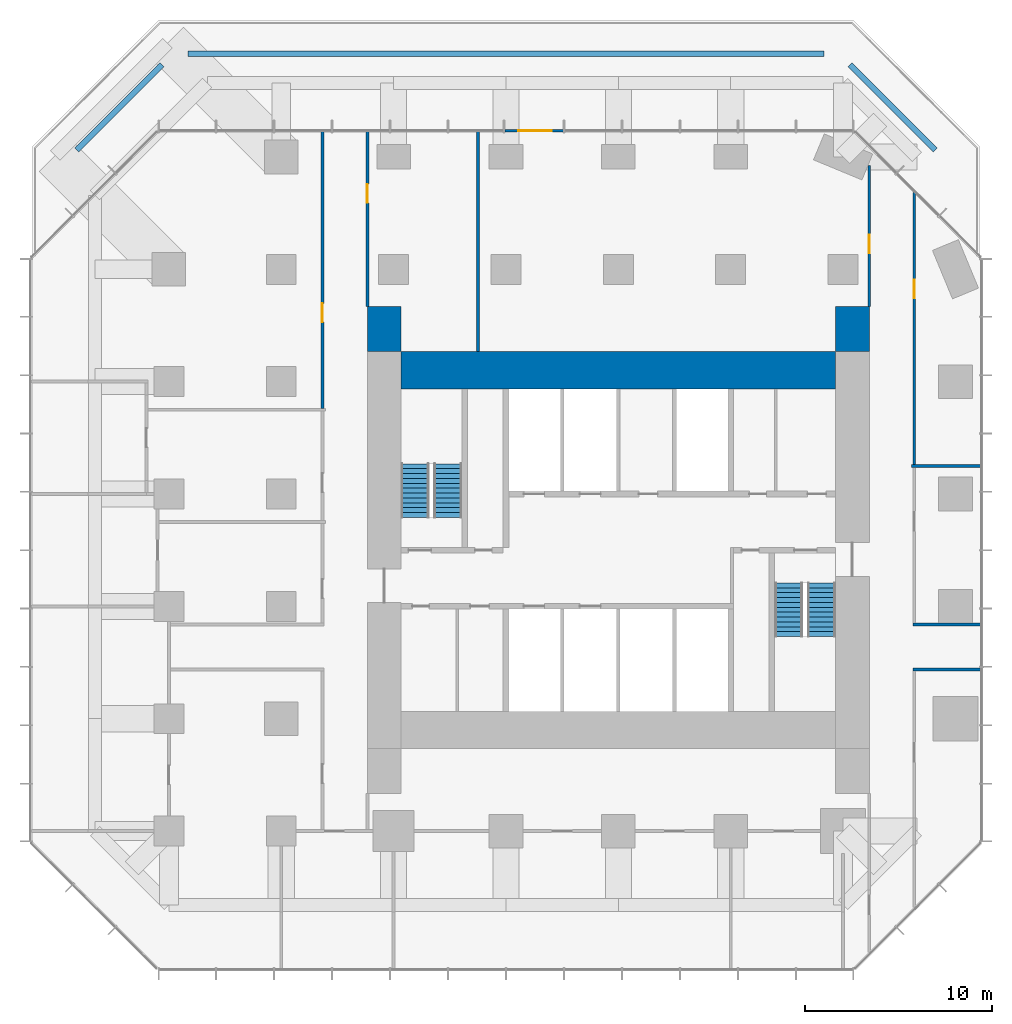
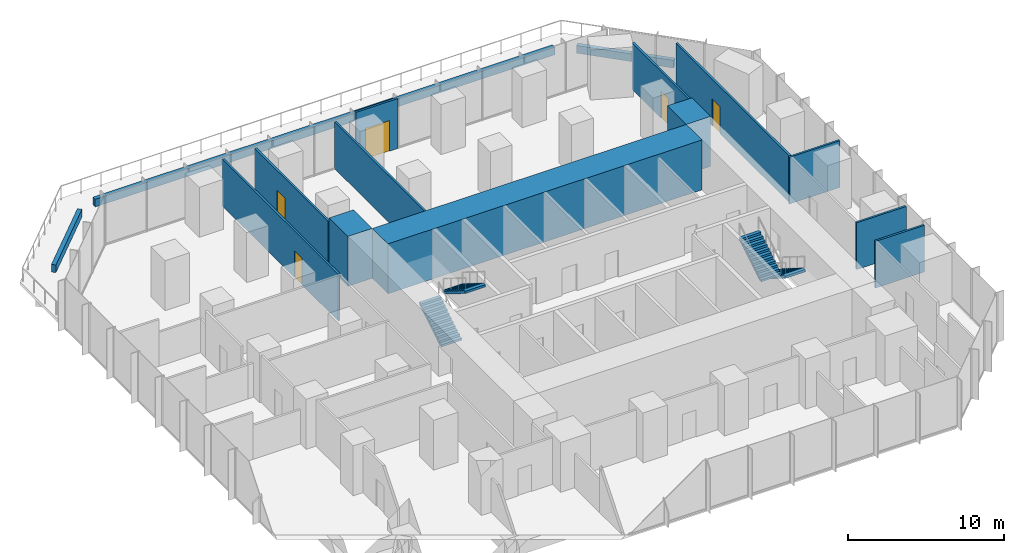
# One storey, part 10 of 11: 15 walls, 5 doors, 4 stair flights, 5 openings, 2 elements without a shape of their own.
"""IFC4 building model written with IfcOpenShell, lengths in metres."""

import ifcopenshell
import ifcopenshell.guid

model = None  # the IFC model being written
_history = None  # IfcOwnerHistory: only IFC2X3 demands one
_inside = {}  # id of a spatial element -> (the spatial element, [elements in it])
_under = {}  # id of a project, library or spatial element -> (it, [spatial elements below it])
_declared = {}  # id of a project -> (the project, [libraries it declares])
_typed = {}  # id of a type object -> (the type object, [elements of that type])
_made_of = {}  # id of a material, layer set ... -> (it, [elements and type objects made of it])


def new_model(schema):
    """Start an empty IFC model of exactly this schema.

    Asked for "IFC4X3", IfcOpenShell would pick the latest addendum, in which some entities
    have other attributes; the version numbers below select the first issue.
    IFC2X3 requires an IfcOwnerHistory on every rooted entity: one is made here for all.
    """
    global model, _history
    if schema == "IFC4X3":
        model = ifcopenshell.file(schema_version=(4, 3, 0, 0))
    else:
        model = ifcopenshell.file(schema=schema)
    _inside.clear()
    _under.clear()
    _declared.clear()
    _typed.clear()
    _made_of.clear()
    _history = None
    if model.schema == "IFC2X3":
        org = make("IfcOrganization", Name="unknown")
        user = make(
            "IfcPersonAndOrganization",
            ThePerson=make("IfcPerson", FamilyName="unknown"),
            TheOrganization=org,
        )
        app = make(
            "IfcApplication",
            ApplicationDeveloper=org,
            Version="unknown",
            ApplicationFullName="unknown",
            ApplicationIdentifier="unknown",
        )
        _history = make(
            "IfcOwnerHistory",
            OwningUser=user,
            OwningApplication=app,
            ChangeAction="ADDED",
            CreationDate=0,
        )
    return model


def make(cls, **values):
    """One entity of the class cls with the attributes given. An attribute that is None is left unset."""
    return model.create_entity(
        cls, **{name: value for name, value in values.items() if value is not None}
    )


def rooted(cls, **values):
    """An entity with a GlobalId (a new one), such as an element, a storey or a relation."""
    return make(cls, GlobalId=ifcopenshell.guid.new(), OwnerHistory=_history, **values)


def si_unit(unit_type, name, prefix=None):
    """IfcSIUnit, for example si_unit("LENGTHUNIT", "METRE", prefix="MILLI")."""
    return make("IfcSIUnit", UnitType=unit_type, Prefix=prefix, Name=name)


def assignment(units):
    """IfcUnitAssignment: the units of a project."""
    return None if units is None else make("IfcUnitAssignment", Units=units)


def point(xyz):
    """IfcCartesianPoint."""
    return None if xyz is None else make("IfcCartesianPoint", Coordinates=xyz)


def direction(xyz):
    """IfcDirection."""
    return None if xyz is None else make("IfcDirection", DirectionRatios=xyz)


def frame(location, z_axis=None, x_axis=None):
    """IfcAxis2Placement3D, a coordinate frame: its origin and axes. An axis left out is left unset."""
    return make(
        "IfcAxis2Placement3D",
        Location=point(location),
        Axis=direction(z_axis),
        RefDirection=direction(x_axis),
    )


def frame_2d(location, x_axis=None):
    """IfcAxis2Placement2D, a coordinate frame in the plane: its origin and x axis."""
    return make(
        "IfcAxis2Placement2D", Location=point(location), RefDirection=direction(x_axis)
    )


def origin():
    """The frame at (0, 0, 0) with its axes left unset."""
    return frame((0.0, 0.0, 0.0))


def place(relative_to, where):
    """IfcLocalPlacement: puts the frame where relative to a parent placement (None: the world)."""
    return make(
        "IfcLocalPlacement", PlacementRelTo=relative_to, RelativePlacement=where
    )


def context(
    kind, dimensions, precision=None, world=None, true_north=None, identifier=None
):
    """IfcGeometricRepresentationContext, for example the 3D "Model" context."""
    return make(
        "IfcGeometricRepresentationContext",
        ContextIdentifier=identifier,
        ContextType=kind,
        CoordinateSpaceDimension=dimensions,
        Precision=precision,
        WorldCoordinateSystem=world,
        TrueNorth=true_north,
    )


def subcontext(parent, identifier, kind, view, scale=None):
    """IfcGeometricRepresentationSubContext, for example "Body" below "Model"."""
    return make(
        "IfcGeometricRepresentationSubContext",
        ContextIdentifier=identifier,
        ContextType=kind,
        ParentContext=parent,
        TargetScale=scale,
        TargetView=view,
    )


def project(units=None, contexts=None):
    """IfcProject with its units and contexts."""
    return rooted(
        "IfcProject",
        Name="project",
        RepresentationContexts=contexts,
        UnitsInContext=assignment(units),
    )


def spatial(cls, under=None, at=None, **own):
    """A site, building, storey or space (cls), placed at a placement, below another one or the project."""
    s = rooted(cls, ObjectPlacement=at, **own)
    if under is not None:
        _under.setdefault(under.id(), (under, []))[1].append(s)
    return s


def polyline(points):
    """IfcPolyline through the points."""
    return make("IfcPolyline", Points=[point(p) for p in points])


def profile(cls, at=None, kind="AREA", **sizes):
    """A parametric profile (cls). Its sizes go by their IFC names, for example OverallWidth=200.0."""
    return make(cls, ProfileType=kind, Position=at, **sizes)


def rectangle(**sizes):
    """IfcRectangleProfileDef."""
    return profile("IfcRectangleProfileDef", **sizes)


def outline(outer, holes=None, kind="AREA"):
    """IfcArbitraryClosedProfileDef: a profile drawn as a closed curve; with holes, ...WithVoids."""
    if holes is None:
        return make("IfcArbitraryClosedProfileDef", ProfileType=kind, OuterCurve=outer)
    return make(
        "IfcArbitraryProfileDefWithVoids",
        ProfileType=kind,
        OuterCurve=outer,
        InnerCurves=holes,
    )


def extrude(swept, where, along, depth):
    """IfcExtrudedAreaSolid: the profile swept, set in the frame where, extruded along a direction by depth."""
    return make(
        "IfcExtrudedAreaSolid",
        SweptArea=swept,
        Position=where,
        ExtrudedDirection=direction(along),
        Depth=depth,
    )


def shape(context_of_items, identifier, shape_type, items):
    """IfcShapeRepresentation: the items that make up one representation, for example the "Body"."""
    return make(
        "IfcShapeRepresentation",
        ContextOfItems=context_of_items,
        RepresentationIdentifier=identifier,
        RepresentationType=shape_type,
        Items=items,
    )


def material(Name=None, Category=None):
    """IfcMaterial."""
    return make("IfcMaterial", Name=Name, Category=Category)


def layer(
    of_material, thickness, ventilated=None, Name=None, Category=None, Priority=None
):
    """IfcMaterialLayer: one layer of a wall or slab, of a material (None: an air gap)."""
    return make(
        "IfcMaterialLayer",
        Material=of_material,
        LayerThickness=thickness,
        IsVentilated=ventilated,
        Name=Name,
        Category=Category,
        Priority=Priority,
    )


def layer_set(layers, Name=None):
    """IfcMaterialLayerSet."""
    return make("IfcMaterialLayerSet", MaterialLayers=layers, LayerSetName=Name)


def made_of(thing, what):
    """Note that an element or type object is made of a material, layer set ...; save() writes the relation."""
    if what is not None:
        _made_of.setdefault(what.id(), (what, []))[1].append(thing)
    return thing


def type_object(cls, material=None, **own):
    """A type object (cls), such as IfcWallType, which elements share."""
    return made_of(rooted(cls, **own), material)


def element(
    cls,
    number,
    at=None,
    inside=None,
    cuts=None,
    type_object=None,
    material=None,
    context=None,
    identifier="Body",
    shape_type=None,
    held_by="IfcProductDefinitionShape",
    body=None,
    shapes=None,
    **own,
):
    """One element of the class cls, such as IfcWall. Its Tag is "e" and its number.

    at: its placement. inside: the storey or other place that contains it. cuts: it is an
    opening in that element (IfcRelVoidsElement). A single representation is given by context,
    identifier, shape_type and body (its items); several are given by shapes. held_by: the class
    of the entity that holds the representations. save() writes the other relations.
    """
    e = rooted(cls, Tag="e%d" % number, ObjectPlacement=at, **own)
    if body is not None:
        shapes = [shape(context, identifier, shape_type, body)]
    if shapes is not None:
        e.Representation = make(held_by, Representations=shapes)
    if inside is not None:
        _inside.setdefault(inside.id(), (inside, []))[1].append(e)
    if cuts is not None:
        rooted(
            "IfcRelVoidsElement", RelatingBuildingElement=cuts, RelatedOpeningElement=e
        )
    if type_object is not None:
        _typed.setdefault(type_object.id(), (type_object, []))[1].append(e)
    return made_of(e, material)


def fill(opening, filler):
    """IfcRelFillsElement: the door or window that sits in an opening."""
    return rooted(
        "IfcRelFillsElement",
        RelatingOpeningElement=opening,
        RelatedBuildingElement=filler,
    )


def aggregate(whole, parts):
    """IfcRelAggregates: a whole, such as a stair, and the parts it consists of."""
    return rooted("IfcRelAggregates", RelatingObject=whole, RelatedObjects=parts)


def save(model, path):
    """Write the relations noted so far, then the file.

    IfcRelAggregates (storeys below a building ...), IfcRelContainedInSpatialStructure (elements
    in a storey), IfcRelDefinesByType, IfcRelAssociatesMaterial and IfcRelDeclares: one each for
    every whole, place, type object, material and project.
    """
    for whole, parts in _under.values():
        aggregate(whole, parts)
    for where, things in _inside.values():
        rooted(
            "IfcRelContainedInSpatialStructure",
            RelatedElements=things,
            RelatingStructure=where,
        )
    for kind, things in _typed.values():
        rooted("IfcRelDefinesByType", RelatedObjects=things, RelatingType=kind)
    for what, things in _made_of.values():
        rooted("IfcRelAssociatesMaterial", RelatedObjects=things, RelatingMaterial=what)
    for by, libraries in _declared.values():
        rooted("IfcRelDeclares", RelatingContext=by, RelatedDefinitions=libraries)
    model.write(path)


model = new_model("IFC4")

# Units and contexts
model_context = context("Model", 3, precision=1e-05, world=origin(), true_north=direction((0.0, 1.0)))
body_context = subcontext(model_context, "Body", "Model", "MODEL_VIEW")
ifc_project = project(units=[si_unit("LENGTHUNIT", "METRE"), si_unit("AREAUNIT", "SQUARE_METRE"), si_unit("VOLUMEUNIT", "CUBIC_METRE"), si_unit("PLANEANGLEUNIT", "RADIAN"), si_unit("MASSUNIT", "GRAM", prefix="KILO")], contexts=[model_context])

# Site, building, storey
site_placement = place(None, origin())
site = spatial("IfcSite", under=ifc_project, at=site_placement, CompositionType="ELEMENT")
building_placement = place(site_placement, origin())
building = spatial("IfcBuilding", under=site, at=building_placement, Name="Highveld Stack Headquarters", CompositionType="ELEMENT")
storey_placement = place(building_placement, frame((0.0, 0.0, 117.199951171875)))
storey = spatial("IfcBuildingStorey", under=building, at=storey_placement, Name="L28", CompositionType="ELEMENT", Elevation=117.199951171875)

# Walls
ifc_material_1 = material(Name="Concrete C60/75", Category="concrete")
ifc_layer_1 = layer(ifc_material_1, 2.0)
ifc_layer_set_1 = layer_set([ifc_layer_1], Name="Concrete C60/75")
wall_type_1 = type_object("IfcWallType", Name="CORE WALL 2000 C60/75", PredefinedType="SHEAR", material=ifc_layer_set_1)
wall_1_placement = place(storey_placement, frame((-5.60009765625, 12.60009765625, 0.0), z_axis=(0.0, 0.0, 1.0), x_axis=(1.0, 0.0, 0.0)))
element("IfcWall", 1, at=wall_1_placement, inside=storey, type_object=wall_type_1, Name="Core wall N L28", PredefinedType="SHEAR", context=body_context, shape_type="SweptSolid", body=[
    extrude(rectangle(XDim=23.2001953125, YDim=2.0, at=frame_2d((11.60009765625, 0.0))), origin(), (0.0, 0.0, 1.0), 3.900146484375),
])
ifc_material_2 = material(Name="Concrete C60/75", Category="concrete")
ifc_layer_2 = layer(ifc_material_2, 1.800048828125)
ifc_layer_set_2 = layer_set([ifc_layer_2], Name="Concrete C60/75")
wall_type_2 = type_object("IfcWallType", Name="CORE WING WALL 1800 C60/75", PredefinedType="SHEAR", material=ifc_layer_set_2)
for number, where, z_axis, x_axis, name in (
    (2, (-6.5, 13.60009765625, 0.0), (0.0, 0.0, 1.0), (0.0, 1.0, 0.0), "Core wing wall WN L28"),
    (3, (18.5, 13.60009765625, 0.0), (0.0, 0.0, 1.0), (0.0, 1.0, 0.0), "Core wing wall EN L28"),
):
    element("IfcWall", number, at=place(storey_placement, frame(where, z_axis=z_axis, x_axis=x_axis)), inside=storey, type_object=wall_type_2, Name=name, PredefinedType="SHEAR", context=body_context, shape_type="SweptSolid", body=[
        extrude(rectangle(XDim=2.39990234375, YDim=1.800048828125, at=frame_2d((1.199951171875, 0.0))), origin(), (0.0, 0.0, 1.0), 3.900146484375),
    ])

# Wall, opening, door
ifc_material_3 = material(Name="Aluminium framed glazed screen", Category="aluminium")
ifc_layer_3 = layer(ifc_material_3, 0.14990234375)
ifc_layer_set_3 = layer_set([ifc_layer_3], Name="Aluminium framed glazed screen")
wall_type_3 = type_object("IfcWallType", Name="GLAZED DOOR SCREEN 150", PredefinedType="USERDEFINED", material=ifc_layer_set_3)
wall_2_placement = place(storey_placement, frame((-0.04248046875, 25.39990234375, 0.0), z_axis=(0.0, 0.0, 1.0), x_axis=(1.0, 0.0, 0.0)))
wall_2 = element("IfcWall", 4, at=wall_2_placement, inside=storey, type_object=wall_type_3, Name="Glazed door screen L28 N", ObjectType="GLAZED SCREEN", PredefinedType="USERDEFINED", context=body_context, shape_type="SweptSolid", body=[
    extrude(rectangle(XDim=3.106689453125, YDim=0.14990234375, at=frame_2d((1.55322265625, 0.0))), origin(), (0.0, 0.0, 1.0), 3.900146484375),
])
opening_1_placement = place(wall_2_placement, frame((0.69091796875, 0.0, 0.0)))
opening_1 = element("IfcOpeningElement", 5, at=opening_1_placement, cuts=wall_2, Name="Opening L28-01", PredefinedType="OPENING", context=body_context, shape_type="SweptSolid", body=[
    extrude(rectangle(XDim=1.800048828125, YDim=2.39990234375, at=frame_2d((0.89990234375, 1.199951171875))), frame((0.0, 0.0849609375, 0.0), z_axis=(0.0, -1.0, 0.0), x_axis=(1.0, 0.0, 0.0)), (0.0, 0.0, 1.0), 0.169921875),
])
ifc_material_4 = material(Name="Aluminium framed glass door", Category="aluminium")
door_type_1 = type_object("IfcDoorType", Name="TERRACE DOOR D8 1800x2400", OperationType="DOUBLE_DOOR_SINGLE_SWING", PredefinedType="DOOR", material=ifc_material_4)
door_1_placement = place(opening_1_placement, origin())
door_1 = element("IfcDoor", 6, at=door_1_placement, inside=storey, type_object=door_type_1, Name="Terrace door L28 N", OperationType="DOUBLE_DOOR_SINGLE_SWING", OverallHeight=2.39990234375, OverallWidth=1.800048828125, PredefinedType="DOOR", context=body_context, shape_type="SweptSolid", body=[
    extrude(rectangle(XDim=1.800048828125, YDim=2.39990234375, at=frame_2d((0.89990234375, 1.199951171875))), frame((0.0, 0.02490234375, 0.0), z_axis=(0.0, -1.0, 0.0), x_axis=(1.0, 0.0, 0.0)), (0.0, 0.0, 1.0), 0.050048828125),
])
fill(opening_1, door_1)

ifc_material_5 = material(Name="Gypsum plasterboard on steel studs", Category="steel")
ifc_layer_4 = layer(ifc_material_5, 0.14990234375)
ifc_layer_set_4 = layer_set([ifc_layer_4], Name="Gypsum plasterboard on steel studs")
wall_type_4 = type_object("IfcWallType", Name="PARTITION 150 PLASTERBOARD", PredefinedType="PARTITIONING", material=ifc_layer_set_4)
wall_3_placement = place(storey_placement, frame((-9.800048828125, 10.574951171875, 0.0), z_axis=(0.0, 0.0, 1.0), x_axis=(0.0, 1.0, 0.0)))
wall_3 = element("IfcWall", 7, at=wall_3_placement, inside=storey, type_object=wall_type_4, Name="Partition office neighbourhood L28", PredefinedType="PARTITIONING", context=body_context, shape_type="SweptSolid", body=[
    extrude(rectangle(XDim=14.824951171875, YDim=0.14990234375, at=frame_2d((7.41259765625, 0.0))), origin(), (0.0, 0.0, 1.0), 3.650146484375),
])
opening_2_placement = place(wall_3_placement, frame((4.60498046875, 0.0, 0.0)))
opening_2 = element("IfcOpeningElement", 8, at=opening_2_placement, cuts=wall_3, Name="Opening L28-26", PredefinedType="OPENING", context=body_context, shape_type="SweptSolid", body=[
    extrude(rectangle(XDim=1.0, YDim=2.10009765625, at=frame_2d((0.5, 1.050048828125))), frame((0.0, 0.0849609375, 0.0), z_axis=(0.0, -1.0, 0.0), x_axis=(1.0, 0.0, 0.0)), (0.0, 0.0, 1.0), 0.169921875),
])
ifc_material_6 = material(Name="Timber door, oiled ash", Category="wood")
door_type_2 = type_object("IfcDoorType", Name="ROOM DOOR D6 1000x2100", OperationType="SINGLE_SWING_LEFT", PredefinedType="DOOR", material=ifc_material_6)
door_2_placement = place(opening_2_placement, origin())
door_2 = element("IfcDoor", 9, at=door_2_placement, inside=storey, type_object=door_type_2, Name="Office neighbourhood door L28", OperationType="SINGLE_SWING_LEFT", OverallHeight=2.10009765625, OverallWidth=1.0, PredefinedType="DOOR", context=body_context, shape_type="SweptSolid", body=[
    extrude(rectangle(XDim=1.0, YDim=2.10009765625, at=frame_2d((0.5, 1.050048828125))), frame((0.0, 0.02490234375, 0.0), z_axis=(0.0, -1.0, 0.0), x_axis=(1.0, 0.0, 0.0)), (0.0, 0.0, 1.0), 0.050048828125),
])
fill(opening_2, door_2)

wall_4_placement = place(storey_placement, frame((-7.39990234375, 16.0, 0.0), z_axis=(0.0, 0.0, 1.0), x_axis=(0.0, 1.0, 0.0)))
wall_4 = element("IfcWall", 10, at=wall_4_placement, inside=storey, type_object=wall_type_4, Name="Partition office neighbourhood L28", PredefinedType="PARTITIONING", context=body_context, shape_type="SweptSolid", body=[
    extrude(rectangle(XDim=9.39990234375, YDim=0.14990234375, at=frame_2d((4.699951171875, 0.0))), origin(), (0.0, 0.0, 1.0), 3.650146484375),
])
opening_3_placement = place(wall_4_placement, frame((5.544921875, 0.0, 0.0)))
opening_3 = element("IfcOpeningElement", 11, at=opening_3_placement, cuts=wall_4, Name="Opening L28-27", PredefinedType="OPENING", context=body_context, shape_type="SweptSolid", body=[
    extrude(rectangle(XDim=1.0, YDim=2.10009765625, at=frame_2d((0.5, 1.050048828125))), frame((0.0, 0.0849609375, 0.0), z_axis=(0.0, -1.0, 0.0), x_axis=(1.0, 0.0, 0.0)), (0.0, 0.0, 1.0), 0.169921875),
])
door_3_placement = place(opening_3_placement, origin())
door_3 = element("IfcDoor", 12, at=door_3_placement, inside=storey, type_object=door_type_2, Name="Office neighbourhood door L28", OperationType="SINGLE_SWING_RIGHT", OverallHeight=2.10009765625, OverallWidth=1.0, PredefinedType="DOOR", context=body_context, shape_type="SweptSolid", body=[
    extrude(rectangle(XDim=1.0, YDim=2.10009765625, at=frame_2d((0.5, 1.050048828125))), frame((0.0, 0.02490234375, 0.0), z_axis=(0.0, -1.0, 0.0), x_axis=(1.0, 0.0, 0.0)), (0.0, 0.0, 1.0), 0.050048828125),
])
fill(opening_3, door_3)

# Wall
wall_5_placement = place(storey_placement, frame((-1.5, 13.60009765625, 0.0), z_axis=(0.0, 0.0, 1.0), x_axis=(0.0, 1.0, 0.0)))
element("IfcWall", 13, at=wall_5_placement, inside=storey, type_object=wall_type_4, Name="Partition office neighbourhood L28", PredefinedType="PARTITIONING", context=body_context, shape_type="SweptSolid", body=[
    extrude(rectangle(XDim=11.7998046875, YDim=0.14990234375, at=frame_2d((5.89990234375, 0.0))), origin(), (0.0, 0.0, 1.0), 3.650146484375),
])

# Wall, opening, door
wall_6_placement = place(storey_placement, frame((19.39990234375, 16.0, 0.0), z_axis=(0.0, 0.0, 1.0), x_axis=(0.0, 1.0, 0.0)))
wall_6 = element("IfcWall", 14, at=wall_6_placement, inside=storey, type_object=wall_type_4, Name="Partition office neighbourhood L28", PredefinedType="PARTITIONING", context=body_context, shape_type="SweptSolid", body=[
    extrude(rectangle(XDim=7.54052734375, YDim=0.14990234375, at=frame_2d((3.770263671875, 0.0))), origin(), (0.0, 0.0, 1.0), 3.650146484375),
])
opening_4_placement = place(wall_6_placement, frame((2.85009765625, 0.0, 0.0)))
opening_4 = element("IfcOpeningElement", 15, at=opening_4_placement, cuts=wall_6, Name="Opening L28-29", PredefinedType="OPENING", context=body_context, shape_type="SweptSolid", body=[
    extrude(rectangle(XDim=1.0, YDim=2.10009765625, at=frame_2d((0.5, 1.050048828125))), frame((0.0, 0.0849609375, 0.0), z_axis=(0.0, -1.0, 0.0), x_axis=(1.0, 0.0, 0.0)), (0.0, 0.0, 1.0), 0.169921875),
])
door_4_placement = place(opening_4_placement, origin())
door_4 = element("IfcDoor", 16, at=door_4_placement, inside=storey, type_object=door_type_2, Name="Office neighbourhood door L28", OperationType="SINGLE_SWING_LEFT", OverallHeight=2.10009765625, OverallWidth=1.0, PredefinedType="DOOR", context=body_context, shape_type="SweptSolid", body=[
    extrude(rectangle(XDim=1.0, YDim=2.10009765625, at=frame_2d((0.5, 1.050048828125))), frame((0.0, 0.02490234375, 0.0), z_axis=(0.0, -1.0, 0.0), x_axis=(1.0, 0.0, 0.0)), (0.0, 0.0, 1.0), 0.050048828125),
])
fill(opening_4, door_4)

# Walls
wall_7_placement = place(storey_placement, frame((21.72509765625, -3.375, 0.0), z_axis=(0.0, 0.0, 1.0), x_axis=(1.0, 0.0, 0.0)))
element("IfcWall", 17, at=wall_7_placement, inside=storey, type_object=wall_type_4, Name="Partition office neighbourhood L28", PredefinedType="PARTITIONING", context=body_context, shape_type="SweptSolid", body=[
    extrude(rectangle(XDim=3.625, YDim=0.14990234375, at=frame_2d((1.8125, 0.0))), origin(), (0.0, 0.0, 1.0), 3.650146484375),
])
wall_8_placement = place(storey_placement, frame((21.72509765625, -0.97509765625, 0.0), z_axis=(0.0, 0.0, 1.0), x_axis=(1.0, 0.0, 0.0)))
element("IfcWall", 18, at=wall_8_placement, inside=storey, type_object=wall_type_4, Name="Partition office neighbourhood L28", PredefinedType="PARTITIONING", context=body_context, shape_type="SweptSolid", body=[
    extrude(rectangle(XDim=3.6748046875, YDim=0.14990234375, at=frame_2d((1.83740234375, 0.0))), origin(), (0.0, 0.0, 1.0), 3.650146484375),
])

# Wall, opening, door
wall_9_placement = place(storey_placement, frame((21.800048828125, 7.574951171875, 0.0), z_axis=(0.0, 0.0, 1.0), x_axis=(0.0, 1.0, 0.0)))
wall_9 = element("IfcWall", 19, at=wall_9_placement, inside=storey, type_object=wall_type_4, Name="Partition office neighbourhood L28", PredefinedType="PARTITIONING", context=body_context, shape_type="SweptSolid", body=[
    extrude(rectangle(XDim=14.51416015625, YDim=0.14990234375, at=frame_2d((7.257080078125, 0.0))), origin(), (0.0, 0.0, 1.0), 3.650146484375),
])
opening_5_placement = place(wall_9_placement, frame((8.875, 0.0, 0.0)))
opening_5 = element("IfcOpeningElement", 20, at=opening_5_placement, cuts=wall_9, Name="Opening L28-25", PredefinedType="OPENING", context=body_context, shape_type="SweptSolid", body=[
    extrude(rectangle(XDim=1.0, YDim=2.10009765625, at=frame_2d((0.5, 1.050048828125))), frame((0.0, 0.0849609375, 0.0), z_axis=(0.0, -1.0, 0.0), x_axis=(1.0, 0.0, 0.0)), (0.0, 0.0, 1.0), 0.169921875),
])
door_5_placement = place(opening_5_placement, origin())
door_5 = element("IfcDoor", 21, at=door_5_placement, inside=storey, type_object=door_type_2, Name="Office neighbourhood door L28", OperationType="SINGLE_SWING_RIGHT", OverallHeight=2.10009765625, OverallWidth=1.0, PredefinedType="DOOR", context=body_context, shape_type="SweptSolid", body=[
    extrude(rectangle(XDim=1.0, YDim=2.10009765625, at=frame_2d((0.5, 1.050048828125))), frame((0.0, 0.02490234375, 0.0), z_axis=(0.0, -1.0, 0.0), x_axis=(1.0, 0.0, 0.0)), (0.0, 0.0, 1.0), 0.050048828125),
])
fill(opening_5, door_5)

# Walls
wall_10_placement = place(storey_placement, frame((21.64990234375, 7.5, 0.0), z_axis=(0.0, 0.0, 1.0), x_axis=(1.0, 0.0, 0.0)))
element("IfcWall", 22, at=wall_10_placement, inside=storey, type_object=wall_type_4, Name="Partition office neighbourhood L28", PredefinedType="PARTITIONING", context=body_context, shape_type="SweptSolid", body=[
    extrude(rectangle(XDim=3.75, YDim=0.14990234375, at=frame_2d((1.875, 0.0))), origin(), (0.0, 0.0, 1.0), 3.650146484375),
])
ifc_material_7 = material(Name="Concrete C40/50, precast planter", Category="concrete")
ifc_layer_5 = layer(ifc_material_7, 0.300048828125)
ifc_layer_set_5 = layer_set([ifc_layer_5], Name="Concrete C40/50, precast planter")
wall_type_5 = type_object("IfcWallType", Name="PLANTER WALL PL1 300", PredefinedType="USERDEFINED", material=ifc_layer_set_5)
wall_11_placement = place(storey_placement, frame((-22.922607421875, 24.370361328125, 0.0), z_axis=(0.0, 0.0, 1.0), x_axis=(0.707106781187, 0.707106781187, 0.0)))
element("IfcWall", 23, at=wall_11_placement, inside=storey, type_object=wall_type_5, Name="Planter L28 1.2", ObjectType="PLANTER", PredefinedType="USERDEFINED", context=body_context, shape_type="SweptSolid", body=[
    extrude(rectangle(XDim=6.437744140625, YDim=0.300048828125, at=frame_2d((3.21875, 0.0))), origin(), (0.0, 0.0, 1.0), 0.60009765625),
])
wall_12_placement = place(storey_placement, frame((-16.976318359375, 29.5, 0.0), z_axis=(0.0, 0.0, 1.0), x_axis=(1.0, 0.0, 0.0)))
element("IfcWall", 24, at=wall_12_placement, inside=storey, type_object=wall_type_5, Name="Planter L28 1.3", ObjectType="PLANTER", PredefinedType="USERDEFINED", context=body_context, shape_type="SweptSolid", body=[
    extrude(rectangle(XDim=33.95263671875, YDim=0.300048828125, at=frame_2d((16.976318359375, 0.0))), origin(), (0.0, 0.0, 1.0), 0.60009765625),
])
wall_13_placement = place(storey_placement, frame((18.370361328125, 28.922607421875, 0.0), z_axis=(0.0, 0.0, 1.0), x_axis=(0.707106781187, -0.707106781187, 0.0)))
element("IfcWall", 25, at=wall_13_placement, inside=storey, type_object=wall_type_5, Name="Planter L28 1.4", ObjectType="PLANTER", PredefinedType="USERDEFINED", context=body_context, shape_type="SweptSolid", body=[
    extrude(rectangle(XDim=6.437744140625, YDim=0.300048828125, at=frame_2d((3.21875, 0.0))), origin(), (0.0, 0.0, 1.0), 0.60009765625),
])

# Stair, stair flights
ifc_material_8 = material(Name="Concrete C40/50, precast", Category="concrete")
stair_type_1 = type_object("IfcStairType", Name="STAIR S1 HALF TURN 1500", PredefinedType="HALF_TURN_STAIR", material=ifc_material_8)
stair_1_placement = place(storey_placement, origin())
stair_1 = element("IfcStair", 26, at=stair_1_placement, inside=storey, type_object=stair_type_1, Name="Stair S1 L28", PredefinedType="HALF_TURN_STAIR")
ifc_material_9 = material(Name="Concrete C40/50, precast", Category="concrete")
stair_flight_type = type_object("IfcStairFlightType", Name="STAIR FLIGHT 1500 PRECAST", PredefinedType="STRAIGHT", material=ifc_material_9)
stair_flight_1_placement = place(storey_placement, frame((-4.85009765625, 4.75, 0.0), z_axis=(0.0, 0.0, 1.0), x_axis=(0.0, 1.0, 0.0)))
stair_flight_1 = element("IfcStairFlight", 27, at=stair_flight_1_placement, type_object=stair_flight_type, Name="S1 flight 1", NumberOfRisers=12, NumberOfTreads=11, PredefinedType="STRAIGHT", RiserHeight=0.1625, TreadLength=0.26, context=body_context, shape_type="SweptSolid", body=[
    extrude(outline(polyline([(0.0, 0.0), (0.0, 0.16259765625), (0.260009765625, 0.16259765625), (0.260009765625, 0.324951171875), (0.52001953125, 0.324951171875), (0.52001953125, 0.487548828125), (0.780029296875, 0.487548828125), (0.780029296875, 0.64990234375), (1.0400390625, 0.64990234375), (1.0400390625, 0.8125), (1.300048828125, 0.8125), (1.300048828125, 0.97509765625), (1.56005859375, 0.97509765625), (1.56005859375, 1.137451171875), (1.820068359375, 1.137451171875), (1.820068359375, 1.300048828125), (2.080078125, 1.300048828125), (2.080078125, 1.46240234375), (2.340087890625, 1.46240234375), (2.340087890625, 1.625), (2.60009765625, 1.625), (2.60009765625, 1.78759765625), (2.860107421875, 1.78759765625), (2.860107421875, 1.949951171875), (2.860107421875, 1.61083984375), (0.28271484375, 0.0), (0.0, 0.0)])), frame((0.0, 0.75, 0.0), z_axis=(0.0, -1.0, 0.0), x_axis=(1.0, 0.0, 0.0)), (0.0, 0.0, 1.0), 1.5),
])
stair_flight_2_placement = place(storey_placement, frame((-3.10009765625, 7.610107421875, 1.949951171875), z_axis=(0.0, 0.0, 1.0), x_axis=(0.0, -1.0, 0.0)))
stair_flight_2 = element("IfcStairFlight", 28, at=stair_flight_2_placement, type_object=stair_flight_type, Name="S1 flight 2", NumberOfRisers=12, NumberOfTreads=11, PredefinedType="STRAIGHT", RiserHeight=0.1625, TreadLength=0.26, context=body_context, shape_type="SweptSolid", body=[
    extrude(outline(polyline([(0.0, 0.0), (0.0, 0.16259765625), (0.260009765625, 0.16259765625), (0.260009765625, 0.324951171875), (0.52001953125, 0.324951171875), (0.52001953125, 0.487548828125), (0.780029296875, 0.487548828125), (0.780029296875, 0.64990234375), (1.0400390625, 0.64990234375), (1.0400390625, 0.8125), (1.300048828125, 0.8125), (1.300048828125, 0.97509765625), (1.56005859375, 0.97509765625), (1.56005859375, 1.137451171875), (1.820068359375, 1.137451171875), (1.820068359375, 1.300048828125), (2.080078125, 1.300048828125), (2.080078125, 1.46240234375), (2.340087890625, 1.46240234375), (2.340087890625, 1.625), (2.60009765625, 1.625), (2.60009765625, 1.78759765625), (2.860107421875, 1.78759765625), (2.860107421875, 1.949951171875), (2.860107421875, 1.61083984375), (0.28271484375, 0.0), (0.0, 0.0)])), frame((0.0, 0.75, 0.0), z_axis=(0.0, -1.0, 0.0), x_axis=(1.0, 0.0, 0.0)), (0.0, 0.0, 1.0), 1.5),
])
aggregate(stair_1, [stair_flight_1, stair_flight_2])

ifc_material_10 = material(Name="Concrete C40/50, precast", Category="concrete")
stair_type_2 = type_object("IfcStairType", Name="STAIR S2 HALF TURN 1500", PredefinedType="HALF_TURN_STAIR", material=ifc_material_10)
stair_2_placement = place(storey_placement, origin())
stair_2 = element("IfcStair", 29, at=stair_2_placement, inside=storey, type_object=stair_type_2, Name="Stair S2 L28", PredefinedType="HALF_TURN_STAIR")
stair_flight_3_placement = place(storey_placement, frame((16.85009765625, 1.25, 0.0), z_axis=(0.0, 0.0, 1.0), x_axis=(0.0, -1.0, 0.0)))
stair_flight_3 = element("IfcStairFlight", 30, at=stair_flight_3_placement, type_object=stair_flight_type, Name="S2 flight 1", NumberOfRisers=12, NumberOfTreads=11, PredefinedType="STRAIGHT", RiserHeight=0.1625, TreadLength=0.26, context=body_context, shape_type="SweptSolid", body=[
    extrude(outline(polyline([(0.0, 0.0), (0.0, 0.16259765625), (0.260009765625, 0.16259765625), (0.260009765625, 0.324951171875), (0.52001953125, 0.324951171875), (0.52001953125, 0.487548828125), (0.780029296875, 0.487548828125), (0.780029296875, 0.64990234375), (1.0400390625, 0.64990234375), (1.0400390625, 0.8125), (1.300048828125, 0.8125), (1.300048828125, 0.97509765625), (1.56005859375, 0.97509765625), (1.56005859375, 1.137451171875), (1.820068359375, 1.137451171875), (1.820068359375, 1.300048828125), (2.080078125, 1.300048828125), (2.080078125, 1.46240234375), (2.340087890625, 1.46240234375), (2.340087890625, 1.625), (2.60009765625, 1.625), (2.60009765625, 1.78759765625), (2.860107421875, 1.78759765625), (2.860107421875, 1.949951171875), (2.860107421875, 1.61083984375), (0.28271484375, 0.0), (0.0, 0.0)])), frame((0.0, 0.75, 0.0), z_axis=(0.0, -1.0, 0.0), x_axis=(1.0, 0.0, 0.0)), (0.0, 0.0, 1.0), 1.5),
])
stair_flight_4_placement = place(storey_placement, frame((15.10009765625, -1.610107421875, 1.949951171875), z_axis=(0.0, 0.0, 1.0), x_axis=(0.0, 1.0, 0.0)))
stair_flight_4 = element("IfcStairFlight", 31, at=stair_flight_4_placement, type_object=stair_flight_type, Name="S2 flight 2", NumberOfRisers=12, NumberOfTreads=11, PredefinedType="STRAIGHT", RiserHeight=0.1625, TreadLength=0.26, context=body_context, shape_type="SweptSolid", body=[
    extrude(outline(polyline([(0.0, 0.0), (0.0, 0.16259765625), (0.260009765625, 0.16259765625), (0.260009765625, 0.324951171875), (0.52001953125, 0.324951171875), (0.52001953125, 0.487548828125), (0.780029296875, 0.487548828125), (0.780029296875, 0.64990234375), (1.0400390625, 0.64990234375), (1.0400390625, 0.8125), (1.300048828125, 0.8125), (1.300048828125, 0.97509765625), (1.56005859375, 0.97509765625), (1.56005859375, 1.137451171875), (1.820068359375, 1.137451171875), (1.820068359375, 1.300048828125), (2.080078125, 1.300048828125), (2.080078125, 1.46240234375), (2.340087890625, 1.46240234375), (2.340087890625, 1.625), (2.60009765625, 1.625), (2.60009765625, 1.78759765625), (2.860107421875, 1.78759765625), (2.860107421875, 1.949951171875), (2.860107421875, 1.61083984375), (0.28271484375, 0.0), (0.0, 0.0)])), frame((0.0, 0.75, 0.0), z_axis=(0.0, -1.0, 0.0), x_axis=(1.0, 0.0, 0.0)), (0.0, 0.0, 1.0), 1.5),
])
aggregate(stair_2, [stair_flight_3, stair_flight_4])

save(model, "model.ifc")
